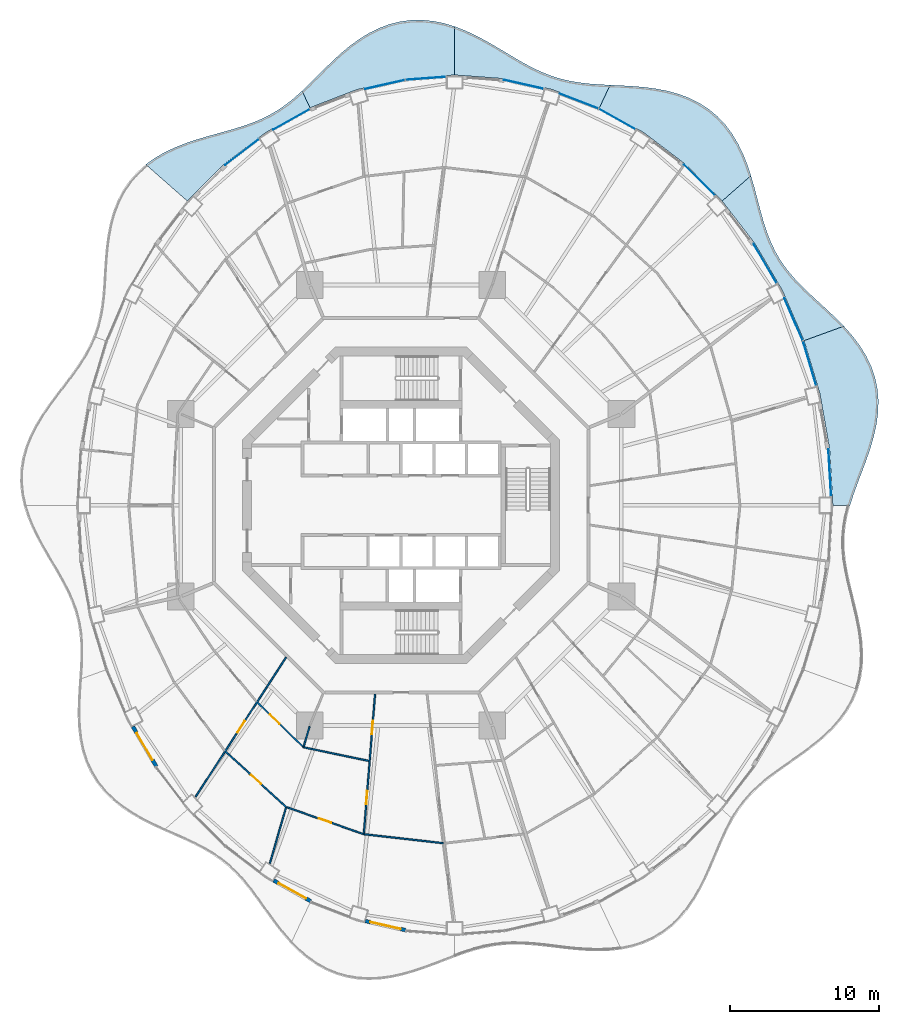
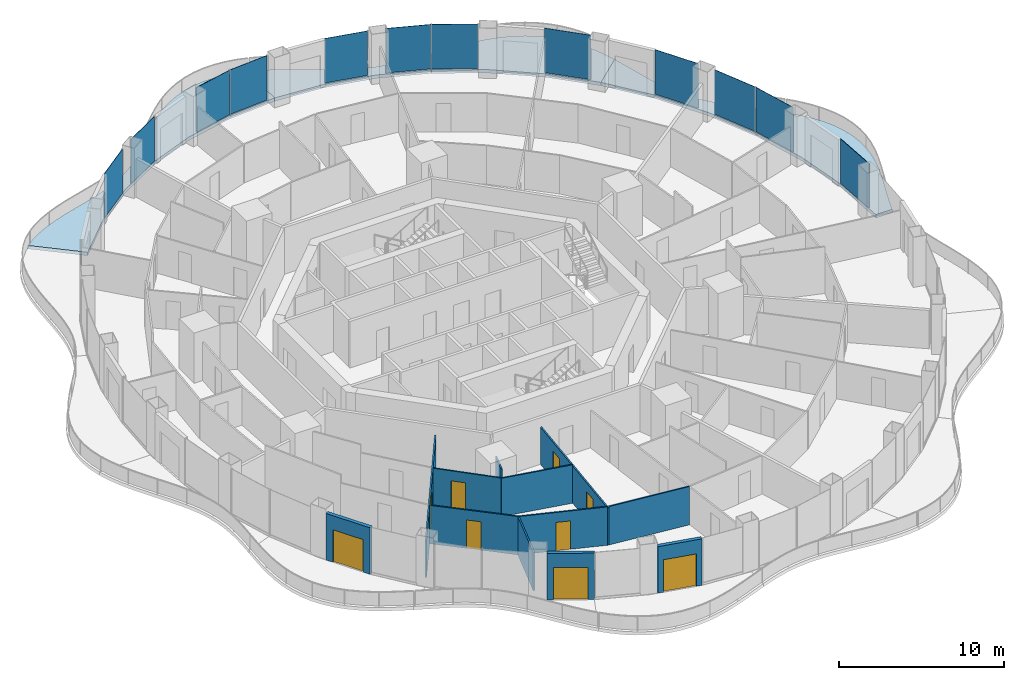
# One storey, part 10 of 19: 12 plates, 12 walls, 9 doors, 6 slabs, 9 openings, 12 elements without a shape of their own.
"""IFC4 building model written with IfcOpenShell, lengths in metres."""

from ifc_helpers import new_model, si_unit, direction, frame, frame_2d, origin, origin_2d, place, context, subcontext, project, spatial, polyline, rectangle, outline, extrude, material, layer, layer_set, type_object, element, fill, aggregate, save


model = new_model("IFC4")

# Units and contexts
model_context = context("Model", 3, precision=1e-05, world=origin(), true_north=direction((0.0, 1.0)))
body_context = subcontext(model_context, "Body", "Model", "MODEL_VIEW")
ifc_project = project(units=[si_unit("LENGTHUNIT", "METRE"), si_unit("AREAUNIT", "SQUARE_METRE"), si_unit("VOLUMEUNIT", "CUBIC_METRE"), si_unit("PLANEANGLEUNIT", "RADIAN"), si_unit("MASSUNIT", "GRAM", prefix="KILO")], contexts=[model_context])

# Site, building, storey
site_placement = place(None, origin())
site = spatial("IfcSite", under=ifc_project, at=site_placement, CompositionType="ELEMENT")
building_placement = place(site_placement, origin())
building = spatial("IfcBuilding", under=site, at=building_placement, Name="Nagisa Residences", CompositionType="ELEMENT")
storey_placement = place(building_placement, frame((0.0, 0.0, 191.800048828125)))
storey = spatial("IfcBuildingStorey", under=building, at=storey_placement, Name="L48", CompositionType="ELEMENT", Elevation=191.800048828125)

# Slabs
ifc_material_1 = material(Name="Concrete C40/50", Category="concrete")
ifc_layer_1 = layer(ifc_material_1, 0.25)
ifc_layer_set_1 = layer_set([ifc_layer_1], Name="BALCONY SLAB 250")
slab_type = type_object("IfcSlabType", Name="BALCONY SLAB 250", PredefinedType="FLOOR", material=ifc_layer_set_1)
slab_1_placement = place(storey_placement, frame((0.0, 0.0, -0.25)))
element("IfcSlab", 1, at=slab_1_placement, inside=storey, type_object=slab_type, Name="slab:L48:bal00", PredefinedType="FLOOR", context=body_context, shape_type="SweptSolid", body=[
    extrude(outline(polyline([(30.126953125, 0.0), (30.360595703125, 0.734375), (30.630126953125, 1.481201171875), (30.919189453125, 2.2421875), (31.209228515625, 3.017822265625), (31.481201171875, 3.80712890625), (31.715576171875, 4.60693359375), (31.894775390625, 5.413330078125), (32.003173828125, 6.220703125), (32.0283203125, 7.022705078125), (31.961669921875, 7.81298828125), (31.799072265625, 8.5849609375), (31.540771484375, 9.3330078125), (31.191650390625, 10.052490234375), (30.760986328125, 10.740478515625), (30.26123046875, 11.39599609375), (29.7080078125, 12.019775390625), (27.04345703125, 11.050048828125), (28.1103515625, 7.473388671875), (28.7578125, 3.76904296875), (28.97509765625, 0.0), (30.126953125, 0.0)])), origin(), (0.0, 0.0, 1.0), 0.25),
])
slab_2_placement = place(storey_placement, frame((0.0, 0.0, -0.25)))
element("IfcSlab", 2, at=slab_2_placement, inside=storey, type_object=slab_type, Name="slab:L48:bal01", PredefinedType="FLOOR", context=body_context, shape_type="SweptSolid", body=[
    extrude(outline(polyline([(29.7080078125, 12.019775390625), (29.13720703125, 12.59716796875), (28.549072265625, 13.15234375), (27.960205078125, 13.691650390625), (27.385986328125, 14.22216796875), (26.84033203125, 14.752197265625), (26.333984375, 15.29052734375), (25.875244140625, 15.8447265625), (25.468017578125, 16.42236328125), (25.113037109375, 17.029052734375), (24.8076171875, 17.6689453125), (24.544921875, 18.343505859375), (24.315673828125, 19.052001953125), (24.10791015625, 19.791015625), (23.908447265625, 20.55419921875), (23.702880859375, 21.3330078125), (23.4765625, 22.1171875), (21.542724609375, 20.417724609375), (23.7314453125, 17.577880859375), (25.575439453125, 14.4375), (27.04345703125, 11.050048828125), (29.7080078125, 12.019775390625)])), origin(), (0.0, 0.0, 1.0), 0.25),
])
slab_3_placement = place(storey_placement, frame((0.0, 0.0, -0.25)))
element("IfcSlab", 3, at=slab_3_placement, inside=storey, type_object=slab_type, Name="slab:L48:bal02", PredefinedType="FLOOR", context=body_context, shape_type="SweptSolid", body=[
    extrude(outline(polyline([(23.4765625, 22.1171875), (23.229736328125, 22.858154296875), (22.941650390625, 23.581787109375), (22.60400390625, 24.2763671875), (22.21044921875, 24.930908203125), (21.75732421875, 25.53564453125), (21.24365234375, 26.08154296875), (20.6708984375, 26.5625), (20.043212890625, 26.974365234375), (19.3671875, 27.31591796875), (18.650146484375, 27.588623046875), (17.90185546875, 27.797119140625), (17.132080078125, 27.948486328125), (16.350830078125, 28.05224609375), (15.56787109375, 28.1201171875), (14.791259765625, 28.164794921875), (14.0283203125, 28.199951171875), (13.310546875, 26.677001953125), (16.28759765625, 25.006591796875), (19.04736328125, 22.907958984375), (21.542724609375, 20.417724609375), (23.4765625, 22.1171875)])), origin(), (0.0, 0.0, 1.0), 0.25),
])
slab_4_placement = place(storey_placement, frame((0.0, 0.0, -0.25)))
element("IfcSlab", 4, at=slab_4_placement, inside=storey, type_object=slab_type, Name="slab:L48:bal03", PredefinedType="FLOOR", context=body_context, shape_type="SweptSolid", body=[
    extrude(outline(polyline([(14.0283203125, 28.199951171875), (13.31103515625, 28.237548828125), (12.6142578125, 28.290283203125), (11.939208984375, 28.368896484375), (11.28515625, 28.48193359375), (10.64990234375, 28.63525390625), (10.02978515625, 28.832763671875), (9.419921875, 29.075439453125), (8.81494140625, 29.361083984375), (8.20947265625, 29.6845703125), (7.59765625, 30.0380859375), (6.974609375, 30.411865234375), (6.33642578125, 30.793701171875), (5.680419921875, 31.170166015625), (5.00537109375, 31.52734375), (4.311279296875, 31.85107421875), (3.60009765625, 32.127685546875), (3.60009765625, 28.875), (6.912109375, 28.6279296875), (10.16748046875, 27.89111328125), (13.310546875, 26.677001953125), (14.0283203125, 28.199951171875)])), origin(), (0.0, 0.0, 1.0), 0.25),
])
slab_5_placement = place(storey_placement, frame((0.0, 0.0, -0.25)))
element("IfcSlab", 5, at=slab_5_placement, inside=storey, type_object=slab_type, Name="slab:L48:bal04", PredefinedType="FLOOR", context=body_context, shape_type="SweptSolid", body=[
    extrude(outline(polyline([(3.60009765625, 32.127685546875), (2.874755859375, 32.345458984375), (2.14013671875, 32.49365234375), (1.401611328125, 32.564697265625), (0.6650390625, 32.55322265625), (-0.063720703125, 32.457275390625), (-0.778076171875, 32.27783203125), (-1.47314453125, 32.01904296875), (-2.14453125, 31.687255859375), (-2.7890625, 31.2919921875), (-3.40576171875, 30.8447265625), (-3.99462890625, 30.358154296875), (-4.557373046875, 29.845458984375), (-5.097900390625, 29.32080078125), (-5.62109375, 28.79736328125), (-6.1328125, 28.286865234375), (-6.64013671875, 27.800537109375), (-6.110595703125, 26.677001953125), (-2.967529296875, 27.89111328125), (0.287841796875, 28.6279296875), (3.60009765625, 28.875), (3.60009765625, 32.127685546875)])), origin(), (0.0, 0.0, 1.0), 0.25),
])
slab_6_placement = place(storey_placement, frame((0.0, 0.0, -0.25)))
element("IfcSlab", 6, at=slab_6_placement, inside=storey, type_object=slab_type, Name="slab:L48:bal05", PredefinedType="FLOOR", context=body_context, shape_type="SweptSolid", body=[
    extrude(outline(polyline([(-6.64013671875, 27.800537109375), (-7.16943359375, 27.329833984375), (-7.709716796875, 26.900390625), (-8.267822265625, 26.515869140625), (-8.849853515625, 26.1767578125), (-9.460205078125, 25.880126953125), (-10.101318359375, 25.62060546875), (-10.772705078125, 25.390625), (-11.471923828125, 25.179931640625), (-12.194580078125, 24.977783203125), (-12.933349609375, 24.77197265625), (-13.67919921875, 24.551025390625), (-14.421875, 24.30322265625), (-15.14990234375, 24.0185546875), (-15.851806640625, 23.6884765625), (-16.516357421875, 23.306884765625), (-17.132568359375, 22.869140625), (-14.3427734375, 20.417724609375), (-11.847412109375, 22.907958984375), (-9.08740234375, 25.006591796875), (-6.110595703125, 26.677001953125), (-6.64013671875, 27.800537109375)])), origin(), (0.0, 0.0, 1.0), 0.25),
])

# Curtain wall, plate
ifc_material_2 = material(Name="Concrete-coloured aluminium curtain wall system", Category="concrete")
ifc_layer_2 = layer(ifc_material_2, 0.159912109375)
ifc_layer_set_2 = layer_set([ifc_layer_2], Name="CW1 CURTAIN WALL")
curtain_wall_type = type_object("IfcCurtainWallType", Name="CW1 CURTAIN WALL", PredefinedType="NOTDEFINED", material=ifc_layer_set_2)
curtain_wall_1_placement = place(storey_placement, origin())
curtain_wall_1 = element("IfcCurtainWall", 7, at=curtain_wall_1_placement, inside=storey, type_object=curtain_wall_type, Name="cw:CW1:L48:00", PredefinedType="NOTDEFINED")
ifc_material_3 = material(Name="Clear laminated glass", Category="glass")
ifc_layer_3 = layer(ifc_material_3, 0.028076171875)
ifc_layer_set_3 = layer_set([ifc_layer_3], Name="CW1 GLASS PANEL")
plate_type = type_object("IfcPlateType", Name="CW1 GLASS PANEL", PredefinedType="CURTAIN_PANEL", material=ifc_layer_set_3)
plate_1_placement = place(storey_placement, frame((28.76904296875, 2.184326171875, 0.14990234375), z_axis=(0.0, 0.0, 1.0), x_axis=(-0.057503492216, 0.998345305184, 0.0)))
plate_1 = element("IfcPlate", 8, at=plate_1_placement, type_object=plate_type, Name="CW1 panel", PredefinedType="CURTAIN_PANEL", context=body_context, shape_type="SweptSolid", body=[
    extrude(rectangle(XDim=3.165283203125, YDim=0.028076171875, at=origin_2d()), origin(), (0.0, 0.0, 1.0), 3.2900390625),
])
aggregate(curtain_wall_1, [plate_1])

curtain_wall_2_placement = place(storey_placement, origin())
curtain_wall_2 = element("IfcCurtainWall", 9, at=curtain_wall_2_placement, inside=storey, type_object=curtain_wall_type, Name="cw:CW1:L48:02", PredefinedType="NOTDEFINED")
plate_2_placement = place(storey_placement, frame((27.4130859375, 9.531005859375, 0.14990234375), z_axis=(0.0, 0.0, 1.0), x_axis=(-0.285860274038, 0.958271310082, 0.0)))
plate_2 = element("IfcPlate", 10, at=plate_2_placement, type_object=plate_type, Name="CW1 panel", PredefinedType="CURTAIN_PANEL", context=body_context, shape_type="SweptSolid", body=[
    extrude(rectangle(XDim=3.122314453125, YDim=0.028076171875, at=origin_2d()), origin(), (0.0, 0.0, 1.0), 3.2900390625),
])
aggregate(curtain_wall_2, [plate_2])

curtain_wall_3_placement = place(storey_placement, origin())
curtain_wall_3 = element("IfcCurtainWall", 11, at=curtain_wall_3_placement, inside=storey, type_object=curtain_wall_type, Name="cw:CW1:L48:03", PredefinedType="NOTDEFINED")
plate_3_placement = place(storey_placement, frame((26.33349609375, 12.487060546875, 0.14990234375), z_axis=(0.0, 0.0, 1.0), x_axis=(-0.397635934147, 0.917543276295, 0.0)))
plate_3 = element("IfcPlate", 12, at=plate_3_placement, type_object=plate_type, Name="CW1 panel", PredefinedType="CURTAIN_PANEL", context=body_context, shape_type="SweptSolid", body=[
    extrude(rectangle(XDim=3.08203125, YDim=0.028076171875, at=origin_2d()), origin(), (0.0, 0.0, 1.0), 3.2900390625),
])
aggregate(curtain_wall_3, [plate_3])

curtain_wall_4_placement = place(storey_placement, origin())
curtain_wall_4 = element("IfcCurtainWall", 13, at=curtain_wall_4_placement, inside=storey, type_object=curtain_wall_type, Name="cw:CW1:L48:04", PredefinedType="NOTDEFINED")
plate_4_placement = place(storey_placement, frame((24.429931640625, 16.230224609375, 0.14990234375), z_axis=(0.0, 0.0, 1.0), x_axis=(-0.506348567002, 0.862328898214, 0.0)))
plate_4 = element("IfcPlate", 14, at=plate_4_placement, type_object=plate_type, Name="CW1 panel", PredefinedType="CURTAIN_PANEL", context=body_context, shape_type="SweptSolid", body=[
    extrude(rectangle(XDim=3.031982421875, YDim=0.028076171875, at=origin_2d()), origin(), (0.0, 0.0, 1.0), 3.2900390625),
])
aggregate(curtain_wall_4, [plate_4])

curtain_wall_5_placement = place(storey_placement, origin())
curtain_wall_5 = element("IfcCurtainWall", 15, at=curtain_wall_5_placement, inside=storey, type_object=curtain_wall_type, Name="cw:CW1:L48:06", PredefinedType="NOTDEFINED")
plate_5_placement = place(storey_placement, frame((20.022705078125, 21.82177734375, 0.14990234375), z_axis=(0.0, 0.0, 1.0), x_axis=(-0.707835924016, 0.706376885714, 0.0)))
plate_5 = element("IfcPlate", 16, at=plate_5_placement, type_object=plate_type, Name="CW1 panel", PredefinedType="CURTAIN_PANEL", context=body_context, shape_type="SweptSolid", body=[
    extrude(rectangle(XDim=2.91552734375, YDim=0.028076171875, at=origin_2d()), origin(), (0.0, 0.0, 1.0), 3.2900390625),
])
aggregate(curtain_wall_5, [plate_5])

curtain_wall_6_placement = place(storey_placement, origin())
curtain_wall_6 = element("IfcCurtainWall", 17, at=curtain_wall_6_placement, inside=storey, type_object=curtain_wall_type, Name="cw:CW1:L48:08", PredefinedType="NOTDEFINED")
plate_6_placement = place(storey_placement, frame((14.493896484375, 25.921142578125, 0.14990234375), z_axis=(0.0, 0.0, 1.0), x_axis=(-0.872072377523, 0.489376918501, 0.0)))
plate_6 = element("IfcPlate", 18, at=plate_6_placement, type_object=plate_type, Name="CW1 panel", PredefinedType="CURTAIN_PANEL", context=body_context, shape_type="SweptSolid", body=[
    extrude(rectangle(XDim=2.8037109375, YDim=0.028076171875, at=origin_2d()), origin(), (0.0, 0.0, 1.0), 3.2900390625),
])
aggregate(curtain_wall_6, [plate_6])

curtain_wall_7_placement = place(storey_placement, origin())
curtain_wall_7 = element("IfcCurtainWall", 19, at=curtain_wall_7_placement, inside=storey, type_object=curtain_wall_type, Name="cw:CW1:L48:09", PredefinedType="NOTDEFINED")
plate_7_placement = place(storey_placement, frame((11.938720703125, 27.12109375, 0.14990234375), z_axis=(0.0, 0.0, 1.0), x_axis=(-0.932825759707, 0.360327770268, 0.0)))
plate_7 = element("IfcPlate", 20, at=plate_7_placement, type_object=plate_type, Name="CW1 panel", PredefinedType="CURTAIN_PANEL", context=body_context, shape_type="SweptSolid", body=[
    extrude(rectangle(XDim=2.75927734375, YDim=0.028076171875, at=origin_2d()), origin(), (0.0, 0.0, 1.0), 3.2900390625),
])
aggregate(curtain_wall_7, [plate_7])

curtain_wall_8_placement = place(storey_placement, origin())
curtain_wall_8 = element("IfcCurtainWall", 21, at=curtain_wall_8_placement, inside=storey, type_object=curtain_wall_type, Name="cw:CW1:L48:10", PredefinedType="NOTDEFINED")
plate_8_placement = place(storey_placement, frame((8.224609375, 28.248779296875, 0.14990234375), z_axis=(0.0, 0.0, 1.0), x_axis=(-0.975327274089, 0.2207639201, 0.0)))
plate_8 = element("IfcPlate", 22, at=plate_8_placement, type_object=plate_type, Name="CW1 panel", PredefinedType="CURTAIN_PANEL", context=body_context, shape_type="SweptSolid", body=[
    extrude(rectangle(XDim=2.727783203125, YDim=0.028076171875, at=origin_2d()), origin(), (0.0, 0.0, 1.0), 3.2900390625),
])
aggregate(curtain_wall_8, [plate_8])

curtain_wall_9_placement = place(storey_placement, origin())
curtain_wall_9 = element("IfcCurtainWall", 23, at=curtain_wall_9_placement, inside=storey, type_object=curtain_wall_type, Name="cw:CW1:L48:12", PredefinedType="NOTDEFINED")
plate_9_placement = place(storey_placement, frame((1.645751953125, 28.64892578125, 0.14990234375), z_axis=(0.0, 0.0, 1.0), x_axis=(-0.997230168512, -0.074377355493, 0.0)))
plate_9 = element("IfcPlate", 24, at=plate_9_placement, type_object=plate_type, Name="CW1 panel", PredefinedType="CURTAIN_PANEL", context=body_context, shape_type="SweptSolid", body=[
    extrude(rectangle(XDim=2.711181640625, YDim=0.028076171875, at=origin_2d()), origin(), (0.0, 0.0, 1.0), 3.2900390625),
])
aggregate(curtain_wall_9, [plate_9])

curtain_wall_10_placement = place(storey_placement, origin())
curtain_wall_10 = element("IfcCurtainWall", 25, at=curtain_wall_10_placement, inside=storey, type_object=curtain_wall_type, Name="cw:CW1:L48:13", PredefinedType="NOTDEFINED")
plate_10_placement = place(storey_placement, frame((-1.083251953125, 28.235595703125, 0.14990234375), z_axis=(0.0, 0.0, 1.0), x_axis=(-0.975327274089, -0.2207639201, 0.0)))
plate_10 = element("IfcPlate", 26, at=plate_10_placement, type_object=plate_type, Name="CW1 panel", PredefinedType="CURTAIN_PANEL", context=body_context, shape_type="SweptSolid", body=[
    extrude(rectangle(XDim=2.727783203125, YDim=0.028076171875, at=origin_2d()), origin(), (0.0, 0.0, 1.0), 3.2900390625),
])
aggregate(curtain_wall_10, [plate_10])

curtain_wall_11_placement = place(storey_placement, origin())
curtain_wall_11 = element("IfcCurtainWall", 27, at=curtain_wall_11_placement, inside=storey, type_object=curtain_wall_type, Name="cw:CW1:L48:15", PredefinedType="NOTDEFINED")
plate_11_placement = place(storey_placement, frame((-7.34619140625, 25.891845703125, 0.14990234375), z_axis=(0.0, 0.0, 1.0), x_axis=(-0.872072377523, -0.489376918501, 0.0)))
plate_11 = element("IfcPlate", 28, at=plate_11_placement, type_object=plate_type, Name="CW1 panel", PredefinedType="CURTAIN_PANEL", context=body_context, shape_type="SweptSolid", body=[
    extrude(rectangle(XDim=2.8037109375, YDim=0.028076171875, at=origin_2d()), origin(), (0.0, 0.0, 1.0), 3.2900390625),
])
aggregate(curtain_wall_11, [plate_11])

curtain_wall_12_placement = place(storey_placement, origin())
curtain_wall_12 = element("IfcCurtainWall", 29, at=curtain_wall_12_placement, inside=storey, type_object=curtain_wall_type, Name="cw:CW1:L48:16", PredefinedType="NOTDEFINED")
plate_12_placement = place(storey_placement, frame((-10.661865234375, 23.708984375, 0.14990234375), z_axis=(0.0, 0.0, 1.0), x_axis=(-0.79603132756, -0.605255421737, 0.0)))
plate_12 = element("IfcPlate", 30, at=plate_12_placement, type_object=plate_type, Name="CW1 panel", PredefinedType="CURTAIN_PANEL", context=body_context, shape_type="SweptSolid", body=[
    extrude(rectangle(XDim=2.85693359375, YDim=0.028076171875, at=origin_2d()), origin(), (0.0, 0.0, 1.0), 3.2900390625),
])
aggregate(curtain_wall_12, [plate_12])

# Wall, opening, door
ifc_material_4 = material(Name="Gypsum board on steel studs", Category="steel")
ifc_layer_4 = layer(ifc_material_4, 0.10009765625)
ifc_layer_set_4 = layer_set([ifc_layer_4], Name="Apartment partition 100")
wall_type_1 = type_object("IfcWallType", Name="Apartment partition 100", PredefinedType="PARTITIONING", material=ifc_layer_set_4)
wall_1_placement = place(storey_placement, frame((-7.71240234375, -10.1953125, 0.0), z_axis=(0.0, 0.0, 1.0), x_axis=(-0.544176533609, -0.838970738625, 0.0)))
wall_1 = element("IfcWall", 31, at=wall_1_placement, inside=storey, type_object=wall_type_1, Name="wall:L48:u62", PredefinedType="PARTITIONING", context=body_context, shape_type="SweptSolid", body=[
    extrude(rectangle(XDim=11.155517578125, YDim=0.10009765625, at=frame_2d((5.57763671875, 0.0))), origin(), (0.0, 0.0, 1.0), 2.755859375),
])
opening_1_placement = place(wall_1_placement, frame((5.100830078125, 0.0, 0.0)))
opening_1 = element("IfcOpeningElement", 32, at=opening_1_placement, cuts=wall_1, Name="Opening L48-U10", PredefinedType="OPENING", context=body_context, shape_type="SweptSolid", body=[
    extrude(rectangle(XDim=0.89990234375, YDim=2.10009765625, at=frame_2d((0.449951171875, 1.050048828125))), frame((0.0, 0.06005859375, 0.0), z_axis=(0.0, -1.0, 0.0), x_axis=(1.0, 0.0, 0.0)), (0.0, 0.0, 1.0), 0.1201171875),
])
ifc_material_5 = material(Name="Timber door set", Category="wood")
door_type_1 = type_object("IfcDoorType", Name="Apartment door 900x2100", OperationType="NOTDEFINED", PredefinedType="DOOR", material=ifc_material_5)
door_1_placement = place(opening_1_placement, frame((0.89990234375, 0.0, 0.0), x_axis=(-1.0, 0.0, 0.0)))
door_1 = element("IfcDoor", 33, at=door_1_placement, inside=storey, type_object=door_type_1, Name="Door to kitchen, Apartment 48A", OperationType="SINGLE_SWING_LEFT", OverallHeight=2.10009765625, OverallWidth=0.89990234375, PredefinedType="DOOR", context=body_context, shape_type="SweptSolid", body=[
    extrude(rectangle(XDim=0.89990234375, YDim=2.10009765625, at=frame_2d((0.449951171875, 1.050048828125))), frame((0.0, 0.02490234375, 0.0), z_axis=(0.0, -1.0, 0.0), x_axis=(1.0, 0.0, 0.0)), (0.0, 0.0, 1.0), 0.050048828125),
])
fill(opening_1, door_1)

wall_2_placement = place(storey_placement, frame((-9.62744140625, -13.238037109375, 0.0), z_axis=(0.0, 0.0, 1.0), x_axis=(0.716946269374, -0.697128429223, 0.0)))
wall_2 = element("IfcWall", 34, at=wall_2_placement, inside=storey, type_object=wall_type_1, Name="wall:L48:u63", PredefinedType="PARTITIONING", context=body_context, shape_type="SweptSolid", body=[
    extrude(rectangle(XDim=4.250244140625, YDim=0.10009765625, at=frame_2d((2.125, 0.0))), origin(), (0.0, 0.0, 1.0), 2.8369140625),
])
opening_2_placement = place(wall_2_placement, frame((1.14501953125, 0.0, 0.0)))
opening_2 = element("IfcOpeningElement", 35, at=opening_2_placement, cuts=wall_2, Name="Opening L48-U09", PredefinedType="OPENING", context=body_context, shape_type="SweptSolid", body=[
    extrude(rectangle(XDim=0.89990234375, YDim=2.10009765625, at=frame_2d((0.449951171875, 1.050048828125))), frame((0.0, 0.06005859375, 0.0), z_axis=(0.0, -1.0, 0.0), x_axis=(1.0, 0.0, 0.0)), (0.0, 0.0, 1.0), 0.1201171875),
])
door_2_placement = place(opening_2_placement, origin())
door_2 = element("IfcDoor", 36, at=door_2_placement, inside=storey, type_object=door_type_1, Name="Door to laundry, Apartment 48A", OperationType="SINGLE_SWING_LEFT", OverallHeight=2.10009765625, OverallWidth=0.89990234375, PredefinedType="DOOR", context=body_context, shape_type="SweptSolid", body=[
    extrude(rectangle(XDim=0.89990234375, YDim=2.10009765625, at=frame_2d((0.449951171875, 1.050048828125))), frame((0.0, 0.02490234375, 0.0), z_axis=(0.0, -1.0, 0.0), x_axis=(1.0, 0.0, 0.0)), (0.0, 0.0, 1.0), 0.050048828125),
])
fill(opening_2, door_2)

wall_3_placement = place(storey_placement, frame((-11.765625, -16.534912109375, 0.0), z_axis=(0.0, 0.0, 1.0), x_axis=(0.738053852169, -0.674741810842, 0.0)))
wall_3 = element("IfcWall", 37, at=wall_3_placement, inside=storey, type_object=wall_type_1, Name="wall:L48:u64", PredefinedType="PARTITIONING", context=body_context, shape_type="SweptSolid", body=[
    extrude(rectangle(XDim=5.549072265625, YDim=0.10009765625, at=frame_2d((2.7744140625, 0.0))), origin(), (0.0, 0.0, 1.0), 2.8369140625),
])
opening_3_placement = place(wall_3_placement, frame((2.299560546875, 0.0, 0.0)))
opening_3 = element("IfcOpeningElement", 38, at=opening_3_placement, cuts=wall_3, Name="Opening L48-U06", PredefinedType="OPENING", context=body_context, shape_type="SweptSolid", body=[
    extrude(rectangle(XDim=0.89990234375, YDim=2.10009765625, at=frame_2d((0.449951171875, 1.050048828125))), frame((0.0, 0.06005859375, 0.0), z_axis=(0.0, -1.0, 0.0), x_axis=(1.0, 0.0, 0.0)), (0.0, 0.0, 1.0), 0.1201171875),
])
door_3_placement = place(opening_3_placement, frame((0.89990234375, 0.0, 0.0), x_axis=(-1.0, 0.0, 0.0)))
door_3 = element("IfcDoor", 39, at=door_3_placement, inside=storey, type_object=door_type_1, Name="Door to master bedroom, Apartment 48A", OperationType="SINGLE_SWING_LEFT", OverallHeight=2.10009765625, OverallWidth=0.89990234375, PredefinedType="DOOR", context=body_context, shape_type="SweptSolid", body=[
    extrude(rectangle(XDim=0.89990234375, YDim=2.10009765625, at=frame_2d((0.449951171875, 1.050048828125))), frame((0.0, 0.02490234375, 0.0), z_axis=(0.0, -1.0, 0.0), x_axis=(1.0, 0.0, 0.0)), (0.0, 0.0, 1.0), 0.050048828125),
])
fill(opening_3, door_3)

# Walls
wall_4_placement = place(storey_placement, frame((-6.136962890625, -14.83056640625, 0.0), z_axis=(0.0, 0.0, 1.0), x_axis=(-0.2785069197, -0.960434222464, 0.0)))
element("IfcWall", 40, at=wall_4_placement, inside=storey, type_object=wall_type_1, Name="wall:L48:u66", PredefinedType="PARTITIONING", context=body_context, shape_type="SweptSolid", body=[
    extrude(rectangle(XDim=1.4130859375, YDim=0.10009765625, at=frame_2d((0.70654296875, 0.0))), origin(), (0.0, 0.0, 1.0), 3.43994140625),
])
wall_5_placement = place(storey_placement, frame((-6.593505859375, -16.2255859375, 0.0), z_axis=(0.0, 0.0, 1.0), x_axis=(0.978902428641, -0.204328253553, 0.0)))
element("IfcWall", 41, at=wall_5_placement, inside=storey, type_object=wall_type_1, Name="wall:L48:u67", PredefinedType="PARTITIONING", context=body_context, shape_type="SweptSolid", body=[
    extrude(rectangle(XDim=4.53564453125, YDim=0.10009765625, at=frame_2d((2.267822265625, 0.0))), origin(), (0.0, 0.0, 1.0), 2.8369140625),
])
wall_6_placement = place(storey_placement, frame((-7.720947265625, -20.293212890625, 0.0), z_axis=(0.0, 0.0, 1.0), x_axis=(-0.278445616281, -0.960451997121, 0.0)))
element("IfcWall", 42, at=wall_6_placement, inside=storey, type_object=wall_type_1, Name="wall:L48:u68", PredefinedType="PARTITIONING", context=body_context, shape_type="SweptSolid", body=[
    extrude(rectangle(XDim=3.885009765625, YDim=0.10009765625, at=frame_2d((1.9423828125, 0.0))), origin(), (0.0, 0.0, 1.0), 2.8369140625),
])

# Wall, opening, door
wall_7_placement = place(storey_placement, frame((-7.659912109375, -20.26171875, 0.0), z_axis=(0.0, 0.0, 1.0), x_axis=(0.943911038661, -0.330199865375, 0.0)))
wall_7 = element("IfcWall", 43, at=wall_7_placement, inside=storey, type_object=wall_type_1, Name="wall:L48:u69", PredefinedType="PARTITIONING", context=body_context, shape_type="SweptSolid", body=[
    extrude(rectangle(XDim=5.41748046875, YDim=0.10009765625, at=frame_2d((2.708740234375, 0.0))), origin(), (0.0, 0.0, 1.0), 2.8369140625),
])
opening_4_placement = place(wall_7_placement, frame((2.2587890625, 0.0, 0.0)))
opening_4 = element("IfcOpeningElement", 44, at=opening_4_placement, cuts=wall_7, Name="Opening L48-U07", PredefinedType="OPENING", context=body_context, shape_type="SweptSolid", body=[
    extrude(rectangle(XDim=0.89990234375, YDim=2.10009765625, at=frame_2d((0.449951171875, 1.050048828125))), frame((0.0, 0.06005859375, 0.0), z_axis=(0.0, -1.0, 0.0), x_axis=(1.0, 0.0, 0.0)), (0.0, 0.0, 1.0), 0.1201171875),
])
door_4_placement = place(opening_4_placement, frame((0.89990234375, 0.0, 0.0), x_axis=(-1.0, 0.0, 0.0)))
door_4 = element("IfcDoor", 45, at=door_4_placement, inside=storey, type_object=door_type_1, Name="Door to family room, Apartment 48A", OperationType="SINGLE_SWING_RIGHT", OverallHeight=2.10009765625, OverallWidth=0.89990234375, PredefinedType="DOOR", context=body_context, shape_type="SweptSolid", body=[
    extrude(rectangle(XDim=0.89990234375, YDim=2.10009765625, at=frame_2d((0.449951171875, 1.050048828125))), frame((0.0, 0.02490234375, 0.0), z_axis=(0.0, -1.0, 0.0), x_axis=(1.0, 0.0, 0.0)), (0.0, 0.0, 1.0), 0.050048828125),
])
fill(opening_4, door_4)

# Wall, openings, doors
wall_8_placement = place(storey_placement, frame((-1.742919921875, -12.66455078125, 0.0), z_axis=(0.0, 0.0, 1.0), x_axis=(-0.080170892619, -0.996781133437, 0.0)))
wall_8 = element("IfcWall", 46, at=wall_8_placement, inside=storey, type_object=wall_type_1, Name="wall:L48:u70", PredefinedType="PARTITIONING", context=body_context, shape_type="SweptSolid", body=[
    extrude(rectangle(XDim=9.48291015625, YDim=0.10009765625, at=frame_2d((4.741455078125, 0.0))), origin(), (0.0, 0.0, 1.0), 2.755859375),
])
opening_5_placement = place(wall_8_placement, frame((1.806396484375, 0.0, 0.0)))
opening_5 = element("IfcOpeningElement", 47, at=opening_5_placement, cuts=wall_8, Name="Opening L48-U02", PredefinedType="OPENING", context=body_context, shape_type="SweptSolid", body=[
    extrude(rectangle(XDim=0.89990234375, YDim=2.10009765625, at=frame_2d((0.449951171875, 1.050048828125))), frame((0.0, 0.06005859375, 0.0), z_axis=(0.0, -1.0, 0.0), x_axis=(1.0, 0.0, 0.0)), (0.0, 0.0, 1.0), 0.1201171875),
])
opening_6_placement = place(wall_8_placement, frame((6.52294921875, 0.0, 0.0)))
opening_6 = element("IfcOpeningElement", 48, at=opening_6_placement, cuts=wall_8, Name="Opening L48-U04", PredefinedType="OPENING", context=body_context, shape_type="SweptSolid", body=[
    extrude(rectangle(XDim=0.89990234375, YDim=2.10009765625, at=frame_2d((0.449951171875, 1.050048828125))), frame((0.0, 0.06005859375, 0.0), z_axis=(0.0, -1.0, 0.0), x_axis=(1.0, 0.0, 0.0)), (0.0, 0.0, 1.0), 0.1201171875),
])
door_5_placement = place(opening_5_placement, frame((0.89990234375, 0.0, 0.0), x_axis=(-1.0, 0.0, 0.0)))
door_5 = element("IfcDoor", 49, at=door_5_placement, inside=storey, type_object=door_type_1, Name="Door to family bathroom, Apartment 48A", OperationType="SINGLE_SWING_LEFT", OverallHeight=2.10009765625, OverallWidth=0.89990234375, PredefinedType="DOOR", context=body_context, shape_type="SweptSolid", body=[
    extrude(rectangle(XDim=0.89990234375, YDim=2.10009765625, at=frame_2d((0.449951171875, 1.050048828125))), frame((0.0, 0.02490234375, 0.0), z_axis=(0.0, -1.0, 0.0), x_axis=(1.0, 0.0, 0.0)), (0.0, 0.0, 1.0), 0.050048828125),
])
fill(opening_5, door_5)
door_6_placement = place(opening_6_placement, frame((0.89990234375, 0.0, 0.0), x_axis=(-1.0, 0.0, 0.0)))
door_6 = element("IfcDoor", 50, at=door_6_placement, inside=storey, type_object=door_type_1, Name="Door to dining room, Apartment 48A", OperationType="SINGLE_SWING_LEFT", OverallHeight=2.10009765625, OverallWidth=0.89990234375, PredefinedType="DOOR", context=body_context, shape_type="SweptSolid", body=[
    extrude(rectangle(XDim=0.89990234375, YDim=2.10009765625, at=frame_2d((0.449951171875, 1.050048828125))), frame((0.0, 0.02490234375, 0.0), z_axis=(0.0, -1.0, 0.0), x_axis=(1.0, 0.0, 0.0)), (0.0, 0.0, 1.0), 0.050048828125),
])
fill(opening_6, door_6)

# Wall
wall_9_placement = place(storey_placement, frame((-2.449462890625, -22.07275390625, 0.0), z_axis=(0.0, 0.0, 1.0), x_axis=(0.993660315081, -0.112424099879, 0.0)))
element("IfcWall", 51, at=wall_9_placement, inside=storey, type_object=wall_type_1, Name="wall:L48:u71", PredefinedType="PARTITIONING", context=body_context, shape_type="SweptSolid", body=[
    extrude(rectangle(XDim=5.32470703125, YDim=0.10009765625, at=frame_2d((2.662353515625, 0.0))), origin(), (0.0, 0.0, 1.0), 2.8369140625),
])

# Wall, opening, door
ifc_material_6 = material(Name="Precast concrete C40/50", Category="concrete")
ifc_layer_5 = layer(ifc_material_6, 0.25)
ifc_layer_set_5 = layer_set([ifc_layer_5], Name="BALCONY DOOR WALL 250")
wall_type_2 = type_object("IfcWallType", Name="BALCONY DOOR WALL 250", PredefinedType="SOLIDWALL", material=ifc_layer_set_5)
wall_10_placement = place(storey_placement, frame((-16.423583984375, -17.5146484375, 0.0), z_axis=(0.0, 0.0, 1.0), x_axis=(-0.506309086483, 0.862352079458, 0.0)))
wall_10 = element("IfcWall", 52, at=wall_10_placement, inside=storey, type_object=wall_type_2, Name="wall:L48:bay28", PredefinedType="SOLIDWALL", context=body_context, shape_type="SweptSolid", body=[
    extrude(rectangle(XDim=3.091796875, YDim=0.25, at=frame_2d((1.5458984375, 0.0))), origin(), (0.0, 0.0, 1.0), 3.43994140625),
])
opening_7_placement = place(wall_10_placement, frame((0.495849609375, 0.0, 0.0)))
opening_7 = element("IfcOpeningElement", 53, at=opening_7_placement, cuts=wall_10, Name="Opening BD-L48-10", PredefinedType="OPENING", context=body_context, shape_type="SweptSolid", body=[
    extrude(rectangle(XDim=2.10009765625, YDim=2.39990234375, at=frame_2d((1.050048828125, 1.199951171875))), frame((0.0, 0.135009765625, 0.0), z_axis=(0.0, -1.0, 0.0), x_axis=(1.0, 0.0, 0.0)), (0.0, 0.0, 1.0), 0.27001953125),
])
ifc_material_7 = material(Name="Aluminium and clear glass", Category="aluminium")
door_type_2 = type_object("IfcDoorType", Name="BALCONY SLIDING DOOR 2100x2400", OperationType="SLIDING_TO_LEFT", PredefinedType="DOOR", material=ifc_material_7)
door_7_placement = place(opening_7_placement, origin())
door_7 = element("IfcDoor", 54, at=door_7_placement, inside=storey, type_object=door_type_2, Name="door:L48:bay28", OperationType="SLIDING_TO_LEFT", OverallHeight=2.39990234375, OverallWidth=2.10009765625, PredefinedType="DOOR", context=body_context, shape_type="SweptSolid", body=[
    extrude(rectangle(XDim=2.10009765625, YDim=2.39990234375, at=frame_2d((1.050048828125, 1.199951171875))), frame((0.0, 0.02490234375, 0.0), z_axis=(0.0, -1.0, 0.0), x_axis=(1.0, 0.0, 0.0)), (0.0, 0.0, 1.0), 0.050048828125),
])
fill(opening_7, door_7)

wall_11_placement = place(storey_placement, frame((-6.04931640625, -26.568115234375, 0.0), z_axis=(0.0, 0.0, 1.0), x_axis=(-0.872078262455, 0.489366431371, 0.0)))
wall_11 = element("IfcWall", 55, at=wall_11_placement, inside=storey, type_object=wall_type_2, Name="wall:L48:bay32", PredefinedType="SOLIDWALL", context=body_context, shape_type="SweptSolid", body=[
    extrude(rectangle(XDim=2.863525390625, YDim=0.25, at=frame_2d((1.431640625, 0.0))), origin(), (0.0, 0.0, 1.0), 3.43994140625),
])
opening_8_placement = place(wall_11_placement, frame((0.3818359375, 0.0, 0.0)))
opening_8 = element("IfcOpeningElement", 56, at=opening_8_placement, cuts=wall_11, Name="Opening BD-L48-11", PredefinedType="OPENING", context=body_context, shape_type="SweptSolid", body=[
    extrude(rectangle(XDim=2.10009765625, YDim=2.39990234375, at=frame_2d((1.050048828125, 1.199951171875))), frame((0.0, 0.135009765625, 0.0), z_axis=(0.0, -1.0, 0.0), x_axis=(1.0, 0.0, 0.0)), (0.0, 0.0, 1.0), 0.27001953125),
])
door_8_placement = place(opening_8_placement, origin())
door_8 = element("IfcDoor", 57, at=door_8_placement, inside=storey, type_object=door_type_2, Name="door:L48:bay32", OperationType="SLIDING_TO_LEFT", OverallHeight=2.39990234375, OverallWidth=2.10009765625, PredefinedType="DOOR", context=body_context, shape_type="SweptSolid", body=[
    extrude(rectangle(XDim=2.10009765625, YDim=2.39990234375, at=frame_2d((1.050048828125, 1.199951171875))), frame((0.0, 0.02490234375, 0.0), z_axis=(0.0, -1.0, 0.0), x_axis=(1.0, 0.0, 0.0)), (0.0, 0.0, 1.0), 0.050048828125),
])
fill(opening_8, door_8)

wall_12_placement = place(storey_placement, frame((0.3154296875, -28.506103515625, 0.0), z_axis=(0.0, 0.0, 1.0), x_axis=(-0.975324329911, 0.220776926974, 0.0)))
wall_12 = element("IfcWall", 58, at=wall_12_placement, inside=storey, type_object=wall_type_2, Name="wall:L48:bay34", PredefinedType="SOLIDWALL", context=body_context, shape_type="SweptSolid", body=[
    extrude(rectangle(XDim=2.787841796875, YDim=0.25, at=frame_2d((1.39404296875, 0.0))), origin(), (0.0, 0.0, 1.0), 3.43994140625),
])
opening_9_placement = place(wall_12_placement, frame((0.343994140625, 0.0, 0.0)))
opening_9 = element("IfcOpeningElement", 59, at=opening_9_placement, cuts=wall_12, Name="Opening BD-L48-12", PredefinedType="OPENING", context=body_context, shape_type="SweptSolid", body=[
    extrude(rectangle(XDim=2.10009765625, YDim=2.39990234375, at=frame_2d((1.050048828125, 1.199951171875))), frame((0.0, 0.135009765625, 0.0), z_axis=(0.0, -1.0, 0.0), x_axis=(1.0, 0.0, 0.0)), (0.0, 0.0, 1.0), 0.27001953125),
])
door_9_placement = place(opening_9_placement, origin())
door_9 = element("IfcDoor", 60, at=door_9_placement, inside=storey, type_object=door_type_2, Name="door:L48:bay34", OperationType="SLIDING_TO_LEFT", OverallHeight=2.39990234375, OverallWidth=2.10009765625, PredefinedType="DOOR", context=body_context, shape_type="SweptSolid", body=[
    extrude(rectangle(XDim=2.10009765625, YDim=2.39990234375, at=frame_2d((1.050048828125, 1.199951171875))), frame((0.0, 0.02490234375, 0.0), z_axis=(0.0, -1.0, 0.0), x_axis=(1.0, 0.0, 0.0)), (0.0, 0.0, 1.0), 0.050048828125),
])
fill(opening_9, door_9)

save(model, "model.ifc")
